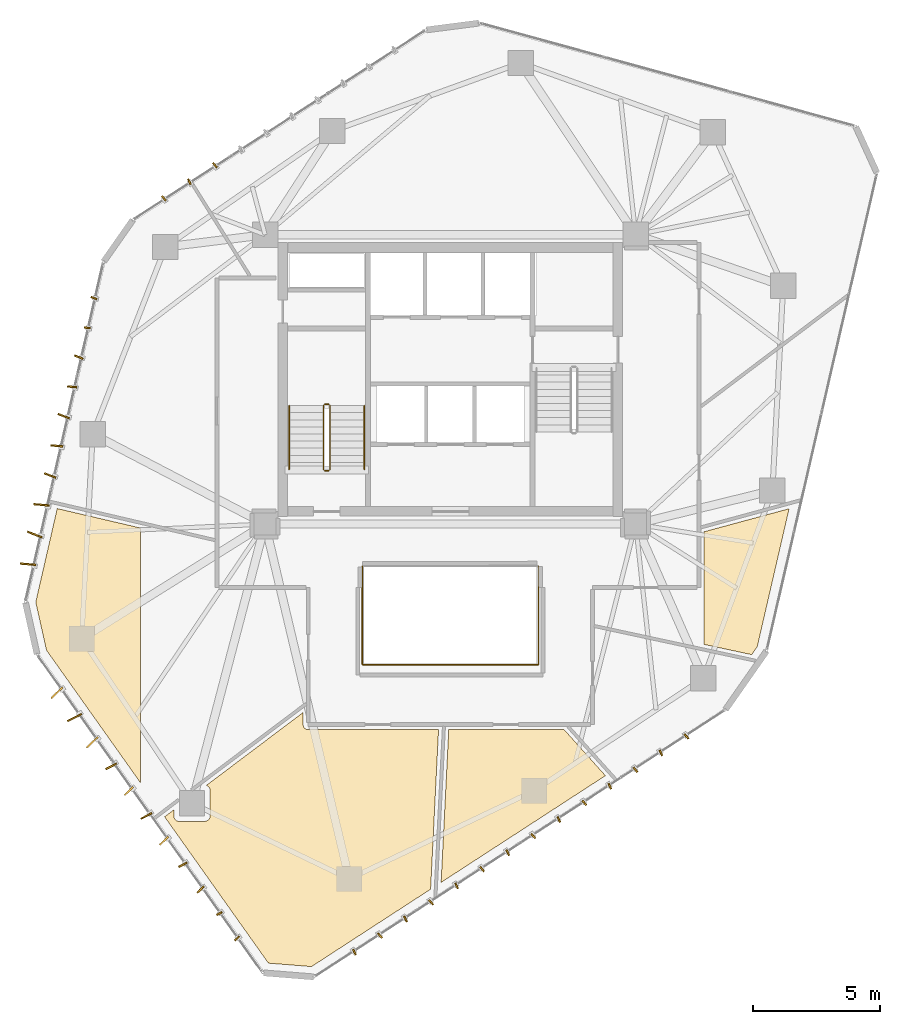
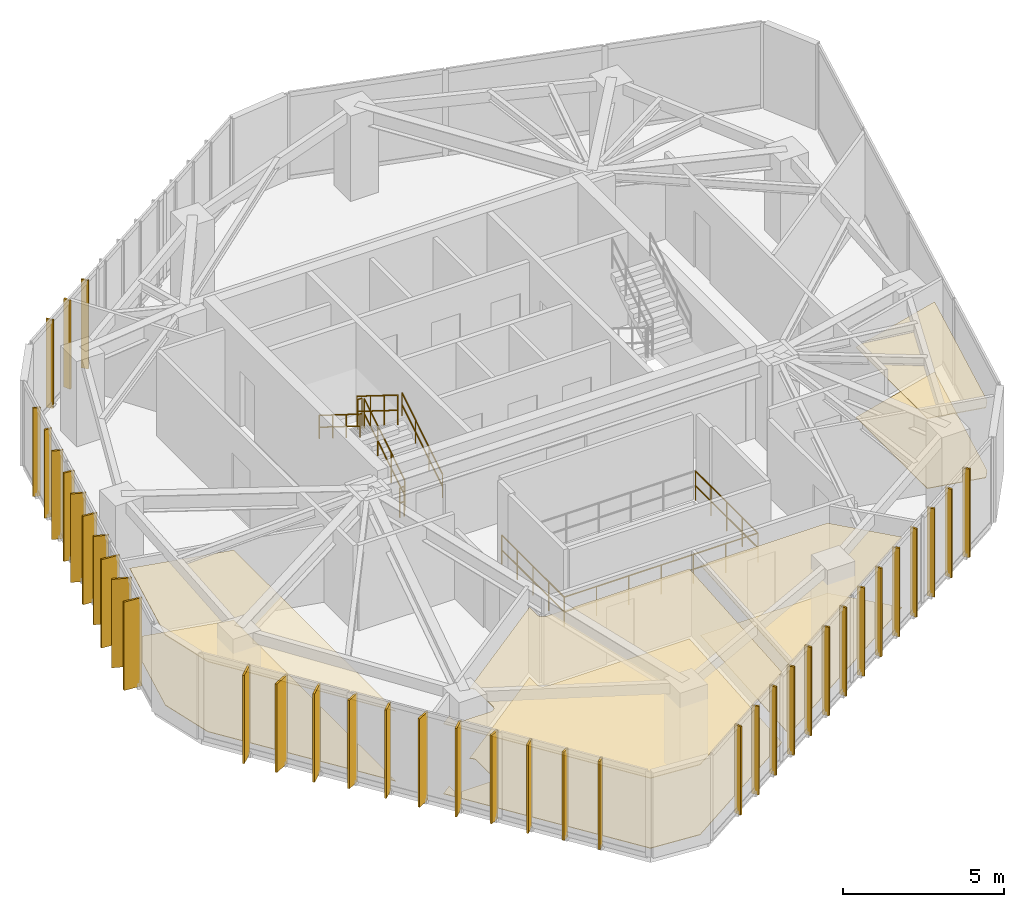
# One storey, part 17 of 18: 38 shading devices, 9 railings, 8 coverings.
"""IFC4 building model written with IfcOpenShell, lengths in metres."""

from ifc_helpers import new_model, si_unit, direction, frame, origin, origin_2d, place, context, subcontext, project, spatial, polyline, rectangle, circle, outline, extrude, source, transform, mapped, material, layer, layer_set, type_object, type_shapes, element, save


model = new_model("IFC4")

# Units and contexts
model_context = context("Model", 3, precision=1e-05, world=origin(), true_north=direction((0.0, 1.0)))
body_context = subcontext(model_context, "Body", "Model", "MODEL_VIEW")
ifc_project = project(units=[si_unit("LENGTHUNIT", "METRE"), si_unit("AREAUNIT", "SQUARE_METRE"), si_unit("VOLUMEUNIT", "CUBIC_METRE"), si_unit("PLANEANGLEUNIT", "RADIAN"), si_unit("MASSUNIT", "GRAM", prefix="KILO")], contexts=[model_context])

# Site, building, storey
site_placement = place(None, origin())
site = spatial("IfcSite", under=ifc_project, at=site_placement, CompositionType="ELEMENT")
building_placement = place(site_placement, origin())
building = spatial("IfcBuilding", under=site, at=building_placement, Name="Talar Marvaseh", CompositionType="ELEMENT")
storey_placement = place(building_placement, frame((0.0, 0.0, 188.0)))
storey = spatial("IfcBuildingStorey", under=building, at=storey_placement, Name="L49", CompositionType="ELEMENT", Elevation=188.0)

# Railings
ifc_material_1 = material(Name="Stainless Steel Grade 316", Category="steel")
railing_type_1 = type_object("IfcRailingType", Name="Brushed Stainless Wall Pitch Handrail 900", PredefinedType="HANDRAIL", material=ifc_material_1)
railing_1_placement = place(storey_placement, frame((22.610107421875, 27.64990234375, 0.175048828125)))
element("IfcRailing", 1, at=railing_1_placement, inside=storey, type_object=railing_type_1, Name="L49 ST-1 stair handrail 1", PredefinedType="HANDRAIL", context=body_context, shape_type="SweptSolid", body=[
    extrude(circle(Radius=0.02392578125, at=origin_2d()), frame((0.0, 0.0, 0.8759765625), z_axis=(0.0, 0.848007534815, 0.529984170421), x_axis=(-1.0, 0.0, 0.0)), (0.0, 0.0, 1.0), 2.9716796875),
    extrude(circle(Radius=0.02392578125, at=origin_2d()), frame((0.0, 0.0, 0.42578125), z_axis=(0.0, 0.848007534815, 0.529984170421), x_axis=(-1.0, 0.0, 0.0)), (0.0, 0.0, 1.0), 2.9716796875),
    extrude(circle(Radius=0.02099609375, at=origin_2d()), origin(), (0.0, 0.0, 1.0), 0.851806640625),
    extrude(circle(Radius=0.02099609375, at=origin_2d()), frame((0.0, 0.840087890625, 0.52490234375)), (0.0, 0.0, 1.0), 0.851806640625),
    extrude(circle(Radius=0.02099609375, at=origin_2d()), frame((0.0, 1.679931640625, 1.050048828125)), (0.0, 0.0, 1.0), 0.851806640625),
    extrude(circle(Radius=0.02099609375, at=origin_2d()), frame((0.0, 2.52001953125, 1.574951171875)), (0.0, 0.0, 1.0), 0.851806640625),
])
railing_2_placement = place(storey_placement, frame((19.64990234375, 30.169921875, 1.925048828125)))
element("IfcRailing", 2, at=railing_2_placement, inside=storey, type_object=railing_type_1, Name="L49 ST-1 stair handrail 2", PredefinedType="HANDRAIL", context=body_context, shape_type="SweptSolid", body=[
    extrude(circle(Radius=0.02392578125, at=origin_2d()), frame((0.0, 0.0, 0.8759765625), z_axis=(0.0, -0.848007534815, 0.529984170421), x_axis=(1.0, 0.0, 0.0)), (0.0, 0.0, 1.0), 2.9716796875),
    extrude(circle(Radius=0.02392578125, at=origin_2d()), frame((0.0, 0.0, 0.42578125), z_axis=(0.0, -0.848007534815, 0.529984170421), x_axis=(1.0, 0.0, 0.0)), (0.0, 0.0, 1.0), 2.9716796875),
    extrude(circle(Radius=0.02099609375, at=origin_2d()), origin(), (0.0, 0.0, 1.0), 0.851806640625),
    extrude(circle(Radius=0.02099609375, at=origin_2d()), frame((0.0, -0.840087890625, 0.52490234375)), (0.0, 0.0, 1.0), 0.851806640625),
    extrude(circle(Radius=0.02099609375, at=origin_2d()), frame((0.0, -1.679931640625, 1.050048828125)), (0.0, 0.0, 1.0), 0.851806640625),
    extrude(circle(Radius=0.02099609375, at=origin_2d()), frame((0.0, -2.52001953125, 1.574951171875)), (0.0, 0.0, 1.0), 0.851806640625),
])
ifc_material_2 = material(Name="Tempered Clear Glass", Category="glass")
railing_type_2 = type_object("IfcRailingType", Name="Interior Atrium Edge Balustrade 1120", PredefinedType="BALUSTRADE", material=ifc_material_2)
railing_3_placement = place(storey_placement, frame((22.5302734375, 19.9609375, 0.0)))
element("IfcRailing", 3, at=railing_3_placement, inside=storey, type_object=railing_type_2, Name="L49 Internal Daylight Atrium Balustrade 1", PredefinedType="BALUSTRADE", context=body_context, shape_type="SweptSolid", body=[
    extrude(circle(Radius=0.02392578125, at=origin_2d()), frame((0.0, 0.0, 1.09619140625), z_axis=(1.0, 0.0, 0.0), x_axis=(0.0, 1.0, 0.0)), (0.0, 0.0, 1.0), 6.939453125),
    extrude(circle(Radius=0.02392578125, at=origin_2d()), frame((0.0, 0.0, 0.5361328125), z_axis=(1.0, 0.0, 0.0), x_axis=(0.0, 1.0, 0.0)), (0.0, 0.0, 1.0), 6.939453125),
    extrude(circle(Radius=0.02099609375, at=origin_2d()), origin(), (0.0, 0.0, 1.0), 1.072021484375),
    extrude(circle(Radius=0.02099609375, at=origin_2d()), frame((1.156494140625, 0.0, 0.0)), (0.0, 0.0, 1.0), 1.072021484375),
    extrude(circle(Radius=0.02099609375, at=origin_2d()), frame((2.313232421875, 0.0, 0.0)), (0.0, 0.0, 1.0), 1.072021484375),
    extrude(circle(Radius=0.02099609375, at=origin_2d()), frame((3.4697265625, 0.0, 0.0)), (0.0, 0.0, 1.0), 1.072021484375),
    extrude(circle(Radius=0.02099609375, at=origin_2d()), frame((4.626220703125, 0.0, 0.0)), (0.0, 0.0, 1.0), 1.072021484375),
    extrude(circle(Radius=0.02099609375, at=origin_2d()), frame((5.782958984375, 0.0, 0.0)), (0.0, 0.0, 1.0), 1.072021484375),
    extrude(circle(Radius=0.02099609375, at=origin_2d()), frame((6.939453125, 0.0, 0.0)), (0.0, 0.0, 1.0), 1.072021484375),
])
railing_4_placement = place(storey_placement, frame((29.4697265625, 19.9609375, 0.0)))
element("IfcRailing", 4, at=railing_4_placement, inside=storey, type_object=railing_type_2, Name="L49 Internal Daylight Atrium Balustrade 2", PredefinedType="BALUSTRADE", context=body_context, shape_type="SweptSolid", body=[
    extrude(circle(Radius=0.02392578125, at=origin_2d()), frame((0.0, 0.0, 1.09619140625), z_axis=(0.0, 1.0, 0.0), x_axis=(-1.0, 0.0, 0.0)), (0.0, 0.0, 1.0), 3.878173828125),
    extrude(circle(Radius=0.02392578125, at=origin_2d()), frame((0.0, 0.0, 0.5361328125), z_axis=(0.0, 1.0, 0.0), x_axis=(-1.0, 0.0, 0.0)), (0.0, 0.0, 1.0), 3.878173828125),
    extrude(circle(Radius=0.02099609375, at=origin_2d()), origin(), (0.0, 0.0, 1.0), 1.072021484375),
    extrude(circle(Radius=0.02099609375, at=origin_2d()), frame((0.0, 0.969482421875, 0.0)), (0.0, 0.0, 1.0), 1.072021484375),
    extrude(circle(Radius=0.02099609375, at=origin_2d()), frame((0.0, 1.93896484375, 0.0)), (0.0, 0.0, 1.0), 1.072021484375),
    extrude(circle(Radius=0.02099609375, at=origin_2d()), frame((0.0, 2.90869140625, 0.0)), (0.0, 0.0, 1.0), 1.072021484375),
    extrude(circle(Radius=0.02099609375, at=origin_2d()), frame((0.0, 3.878173828125, 0.0)), (0.0, 0.0, 1.0), 1.072021484375),
])
railing_5_placement = place(storey_placement, frame((22.5302734375, 23.839111328125, 0.0)))
element("IfcRailing", 5, at=railing_5_placement, inside=storey, type_object=railing_type_2, Name="L49 Internal Daylight Atrium Balustrade 4", PredefinedType="BALUSTRADE", context=body_context, shape_type="SweptSolid", body=[
    extrude(circle(Radius=0.02392578125, at=origin_2d()), frame((0.0, 0.0, 1.09619140625), z_axis=(0.0, -1.0, 0.0), x_axis=(1.0, 0.0, 0.0)), (0.0, 0.0, 1.0), 3.878173828125),
    extrude(circle(Radius=0.02392578125, at=origin_2d()), frame((0.0, 0.0, 0.5361328125), z_axis=(0.0, -1.0, 0.0), x_axis=(1.0, 0.0, 0.0)), (0.0, 0.0, 1.0), 3.878173828125),
    extrude(circle(Radius=0.02099609375, at=origin_2d()), origin(), (0.0, 0.0, 1.0), 1.072021484375),
    extrude(circle(Radius=0.02099609375, at=origin_2d()), frame((0.0, -0.969482421875, 0.0)), (0.0, 0.0, 1.0), 1.072021484375),
    extrude(circle(Radius=0.02099609375, at=origin_2d()), frame((0.0, -1.93896484375, 0.0)), (0.0, 0.0, 1.0), 1.072021484375),
    extrude(circle(Radius=0.02099609375, at=origin_2d()), frame((0.0, -2.90869140625, 0.0)), (0.0, 0.0, 1.0), 1.072021484375),
    extrude(circle(Radius=0.02099609375, at=origin_2d()), frame((0.0, -3.878173828125, 0.0)), (0.0, 0.0, 1.0), 1.072021484375),
])
railing_type_3 = type_object("IfcRailingType", Name="Painted Steel Core Stair Well Guardrail 1150", PredefinedType="GUARDRAIL", material=ifc_material_1)
railing_6_placement = place(storey_placement, frame((21.260009765625, 27.64990234375, 0.175048828125)))
element("IfcRailing", 6, at=railing_6_placement, inside=storey, type_object=railing_type_3, Name="L49 ST-1 stair guard 1", PredefinedType="GUARDRAIL", context=body_context, shape_type="SweptSolid", body=[
    extrude(circle(Radius=0.02392578125, at=origin_2d()), frame((0.0, 0.0, 1.1259765625), z_axis=(0.0, 0.848007534815, 0.529984170421), x_axis=(-1.0, 0.0, 0.0)), (0.0, 0.0, 1.0), 2.9716796875),
    extrude(circle(Radius=0.02392578125, at=origin_2d()), frame((0.0, 0.0, 0.55078125), z_axis=(0.0, 0.848007534815, 0.529984170421), x_axis=(-1.0, 0.0, 0.0)), (0.0, 0.0, 1.0), 2.9716796875),
    extrude(circle(Radius=0.02099609375, at=origin_2d()), origin(), (0.0, 0.0, 1.0), 1.101806640625),
    extrude(circle(Radius=0.02099609375, at=origin_2d()), frame((0.0, 0.840087890625, 0.52490234375)), (0.0, 0.0, 1.0), 1.101806640625),
    extrude(circle(Radius=0.02099609375, at=origin_2d()), frame((0.0, 1.679931640625, 1.050048828125)), (0.0, 0.0, 1.0), 1.101806640625),
    extrude(circle(Radius=0.02099609375, at=origin_2d()), frame((0.0, 2.52001953125, 1.574951171875)), (0.0, 0.0, 1.0), 1.101806640625),
])
railing_7_placement = place(storey_placement, frame((21.2099609375, 30.219970703125, 1.75)))
element("IfcRailing", 7, at=railing_7_placement, inside=storey, type_object=railing_type_3, Name="L49 ST-1 stair guard 2", PredefinedType="GUARDRAIL", context=body_context, shape_type="SweptSolid", body=[
    extrude(circle(Radius=0.02392578125, at=origin_2d()), frame((0.0, 0.0, 1.1259765625), z_axis=(-1.0, 0.0, 0.0), x_axis=(0.0, -1.0, 0.0)), (0.0, 0.0, 1.0), 0.159912109375),
    extrude(circle(Radius=0.02392578125, at=origin_2d()), frame((0.0, 0.0, 0.55078125), z_axis=(-1.0, 0.0, 0.0), x_axis=(0.0, -1.0, 0.0)), (0.0, 0.0, 1.0), 0.159912109375),
    extrude(circle(Radius=0.02099609375, at=origin_2d()), origin(), (0.0, 0.0, 1.0), 1.101806640625),
    extrude(circle(Radius=0.02099609375, at=origin_2d()), frame((-0.159912109375, 0.0, 0.0)), (0.0, 0.0, 1.0), 1.101806640625),
])
railing_8_placement = place(storey_placement, frame((21.0, 30.169921875, 1.925048828125)))
element("IfcRailing", 8, at=railing_8_placement, inside=storey, type_object=railing_type_3, Name="L49 ST-1 stair guard 3", PredefinedType="GUARDRAIL", context=body_context, shape_type="SweptSolid", body=[
    extrude(circle(Radius=0.02392578125, at=origin_2d()), frame((0.0, 0.0, 1.1259765625), z_axis=(0.0, -0.848007534815, 0.529984170421), x_axis=(1.0, 0.0, 0.0)), (0.0, 0.0, 1.0), 2.9716796875),
    extrude(circle(Radius=0.02392578125, at=origin_2d()), frame((0.0, 0.0, 0.55078125), z_axis=(0.0, -0.848007534815, 0.529984170421), x_axis=(1.0, 0.0, 0.0)), (0.0, 0.0, 1.0), 2.9716796875),
    extrude(circle(Radius=0.02099609375, at=origin_2d()), origin(), (0.0, 0.0, 1.0), 1.101806640625),
    extrude(circle(Radius=0.02099609375, at=origin_2d()), frame((0.0, -0.840087890625, 0.52490234375)), (0.0, 0.0, 1.0), 1.101806640625),
    extrude(circle(Radius=0.02099609375, at=origin_2d()), frame((0.0, -1.679931640625, 1.050048828125)), (0.0, 0.0, 1.0), 1.101806640625),
    extrude(circle(Radius=0.02099609375, at=origin_2d()), frame((0.0, -2.52001953125, 1.574951171875)), (0.0, 0.0, 1.0), 1.101806640625),
])
railing_9_placement = place(storey_placement, frame((21.2099609375, 27.60009765625, 0.0)))
element("IfcRailing", 9, at=railing_9_placement, inside=storey, type_object=railing_type_3, Name="L49 ST-1 stair guard 4", PredefinedType="GUARDRAIL", context=body_context, shape_type="SweptSolid", body=[
    extrude(circle(Radius=0.02392578125, at=origin_2d()), frame((0.0, 0.0, 1.1259765625), z_axis=(-1.0, 0.0, 0.0), x_axis=(0.0, -1.0, 0.0)), (0.0, 0.0, 1.0), 0.159912109375),
    extrude(circle(Radius=0.02392578125, at=origin_2d()), frame((0.0, 0.0, 0.55078125), z_axis=(-1.0, 0.0, 0.0), x_axis=(0.0, -1.0, 0.0)), (0.0, 0.0, 1.0), 0.159912109375),
    extrude(circle(Radius=0.02099609375, at=origin_2d()), origin(), (0.0, 0.0, 1.0), 1.101806640625),
    extrude(circle(Radius=0.02099609375, at=origin_2d()), frame((-0.159912109375, 0.0, 0.0)), (0.0, 0.0, 1.0), 1.101806640625),
])

# Coverings
ifc_material_3 = material(Name="Mineral Fibre Acoustic Ceiling")
ifc_layer_1 = layer(ifc_material_3, 0.02490234375)
ifc_layer_set_1 = layer_set([ifc_layer_1], Name="Mineral Fibre Acoustic Ceiling")
covering_type_1 = type_object("IfcCoveringType", Name="Perforated Mineral Fibre Acoustic Suspended Ceiling", PredefinedType="CEILING", material=ifc_layer_set_1)
covering_1_placement = place(storey_placement, frame((0.0, 0.0, 2.64990234375)))
element("IfcCovering", 10, at=covering_1_placement, inside=storey, type_object=covering_type_1, Name="L49 Seminar Room Acoustic Ceiling", PredefinedType="CEILING", context=body_context, shape_type="SweptSolid", body=[
    extrude(outline(polyline([(13.800048828125, 25.34375), (13.800048828125, 15.295166015625), (10.089111328125, 20.527587890625), (9.664306640625, 22.423828125), (10.510986328125, 26.11181640625), (13.800048828125, 25.34375)])), origin(), (0.0, 0.0, 1.0), 0.025146484375),
])
covering_2_placement = place(storey_placement, frame((0.0, 0.0, 2.64990234375)))
element("IfcCovering", 11, at=covering_2_placement, inside=storey, type_object=covering_type_1, Name="L49 Curatorial Staff Control Room Acoustic Ceiling", PredefinedType="CEILING", context=body_context, shape_type="SweptSolid", body=[
    extrude(outline(polyline([(20.199951171875, 17.60009765625), (20.200927734375, 17.580322265625), (20.203857421875, 17.56103515625), (20.20849609375, 17.5419921875), (20.215087890625, 17.5234375), (20.2236328125, 17.505615234375), (20.233642578125, 17.489013671875), (20.245361328125, 17.47314453125), (20.258544921875, 17.45849609375), (20.273193359375, 17.4453125), (20.288818359375, 17.43359375), (20.3056640625, 17.423583984375), (20.323486328125, 17.415283203125), (20.341796875, 17.40869140625), (20.361083984375, 17.40380859375), (20.38037109375, 17.40087890625), (20.39990234375, 17.39990234375), (25.535400390625, 17.39990234375), (25.2216796875, 11.114013671875), (20.529296875, 8.0654296875), (18.831298828125, 8.201171875), (14.742431640625, 13.96630859375), (15.10400390625, 14.239013671875), (15.10400390625, 14.0009765625), (15.10498046875, 13.9814453125), (15.10791015625, 13.9619140625), (15.11279296875, 13.94287109375), (15.119384765625, 13.92431640625), (15.127685546875, 13.906494140625), (15.134521484375, 13.89404296875), (15.14453125, 13.877197265625), (15.15625, 13.861572265625), (15.16943359375, 13.846923828125), (15.18408203125, 13.833740234375), (15.19970703125, 13.822021484375), (15.216552734375, 13.81201171875), (15.234375, 13.8037109375), (15.252685546875, 13.797119140625), (15.27197265625, 13.792236328125), (15.291259765625, 13.789306640625), (15.310791015625, 13.78857421875), (16.32861328125, 13.789306640625), (16.34912109375, 13.79052734375), (16.369384765625, 13.793701171875), (16.38916015625, 13.798828125), (16.408447265625, 13.805908203125), (16.4267578125, 13.815185546875), (16.444091796875, 13.826171875), (16.460205078125, 13.8388671875), (16.474853515625, 13.85302734375), (16.488037109375, 13.86865234375), (16.49951171875, 13.8857421875), (16.50927734375, 13.90380859375), (16.5146484375, 13.915283203125), (16.521484375, 13.931640625), (16.527099609375, 13.948486328125), (16.531005859375, 13.966064453125), (16.533203125, 13.983642578125), (16.533935546875, 14.00146484375), (16.5322265625, 15.008544921875), (16.531005859375, 15.029052734375), (16.52783203125, 15.04931640625), (16.522705078125, 15.069091796875), (16.515380859375, 15.08837890625), (16.506103515625, 15.10693359375), (16.4951171875, 15.124267578125), (16.482177734375, 15.140380859375), (16.4677734375, 15.155029296875), (16.451904296875, 15.168212890625), (16.434814453125, 15.1796875), (16.421630859375, 15.1875), (16.402587890625, 15.19775390625), (16.385498046875, 15.20458984375), (20.199951171875, 18.0791015625), (20.199951171875, 17.60009765625)])), origin(), (0.0, 0.0, 1.0), 0.025146484375),
])
covering_3_placement = place(storey_placement, frame((0.0, 0.0, 2.64990234375)))
element("IfcCovering", 12, at=covering_3_placement, inside=storey, type_object=covering_type_1, Name="L49 Colloquium Boardroom Acoustic Ceiling", PredefinedType="CEILING", context=body_context, shape_type="SweptSolid", body=[
    extrude(outline(polyline([(32.109375, 15.588134765625), (25.6357421875, 11.3828125), (25.935791015625, 17.39990234375), (30.484619140625, 17.39990234375), (32.109375, 15.588134765625)])), origin(), (0.0, 0.0, 1.0), 0.025146484375),
])
covering_4_placement = place(storey_placement, frame((0.0, 0.0, 2.64990234375)))
element("IfcCovering", 13, at=covering_4_placement, inside=storey, type_object=covering_type_1, Name="L49 Accessible WC Acoustic Ceiling", PredefinedType="CEILING", context=body_context, shape_type="SweptSolid", body=[
    extrude(outline(polyline([(36.0, 23.0), (36.0, 25.19921875), (39.345703125, 26.10498046875), (38.090576171875, 20.671875), (37.8701171875, 20.35693359375), (36.0, 20.75830078125), (36.0, 23.0)])), origin(), (0.0, 0.0, 1.0), 0.025146484375),
])
ifc_material_4 = material(Name="Porcelain Stoneware Tile", Category="masonry")
ifc_layer_2 = layer(ifc_material_4, 0.02001953125)
ifc_layer_set_2 = layer_set([ifc_layer_2], Name="Porcelain Stoneware Tile")
covering_type_2 = type_object("IfcCoveringType", Name="Polished Porcelain Stoneware Gallery Flooring", PredefinedType="FLOORING", material=ifc_layer_set_2)
covering_5_placement = place(storey_placement, origin())
element("IfcCovering", 14, at=covering_5_placement, inside=storey, type_object=covering_type_2, Name="L49 Seminar Room Flooring", PredefinedType="FLOORING", context=body_context, shape_type="SweptSolid", body=[
    extrude(outline(polyline([(13.800048828125, 25.34375), (13.800048828125, 15.295166015625), (10.089111328125, 20.527587890625), (9.664306640625, 22.423828125), (10.510986328125, 26.11181640625), (13.800048828125, 25.34375)])), origin(), (0.0, 0.0, 1.0), 0.02001953125),
])
covering_6_placement = place(storey_placement, origin())
element("IfcCovering", 15, at=covering_6_placement, inside=storey, type_object=covering_type_2, Name="L49 Curatorial Staff Control Room Flooring", PredefinedType="FLOORING", context=body_context, shape_type="SweptSolid", body=[
    extrude(outline(polyline([(20.199951171875, 17.60009765625), (20.200927734375, 17.580322265625), (20.203857421875, 17.56103515625), (20.20849609375, 17.5419921875), (20.215087890625, 17.5234375), (20.2236328125, 17.505615234375), (20.233642578125, 17.489013671875), (20.245361328125, 17.47314453125), (20.258544921875, 17.45849609375), (20.273193359375, 17.4453125), (20.288818359375, 17.43359375), (20.3056640625, 17.423583984375), (20.323486328125, 17.415283203125), (20.341796875, 17.40869140625), (20.361083984375, 17.40380859375), (20.38037109375, 17.40087890625), (20.39990234375, 17.39990234375), (25.535400390625, 17.39990234375), (25.2216796875, 11.114013671875), (20.529296875, 8.0654296875), (18.831298828125, 8.201171875), (14.742431640625, 13.96630859375), (15.10400390625, 14.239013671875), (15.10400390625, 14.0009765625), (15.10498046875, 13.9814453125), (15.10791015625, 13.9619140625), (15.11279296875, 13.94287109375), (15.119384765625, 13.92431640625), (15.127685546875, 13.906494140625), (15.134521484375, 13.89404296875), (15.14453125, 13.877197265625), (15.15625, 13.861572265625), (15.16943359375, 13.846923828125), (15.18408203125, 13.833740234375), (15.19970703125, 13.822021484375), (15.216552734375, 13.81201171875), (15.234375, 13.8037109375), (15.252685546875, 13.797119140625), (15.27197265625, 13.792236328125), (15.291259765625, 13.789306640625), (15.310791015625, 13.78857421875), (16.32861328125, 13.789306640625), (16.34912109375, 13.79052734375), (16.369384765625, 13.793701171875), (16.38916015625, 13.798828125), (16.408447265625, 13.805908203125), (16.4267578125, 13.815185546875), (16.444091796875, 13.826171875), (16.460205078125, 13.8388671875), (16.474853515625, 13.85302734375), (16.488037109375, 13.86865234375), (16.49951171875, 13.8857421875), (16.50927734375, 13.90380859375), (16.5146484375, 13.915283203125), (16.521484375, 13.931640625), (16.527099609375, 13.948486328125), (16.531005859375, 13.966064453125), (16.533203125, 13.983642578125), (16.533935546875, 14.00146484375), (16.5322265625, 15.008544921875), (16.531005859375, 15.029052734375), (16.52783203125, 15.04931640625), (16.522705078125, 15.069091796875), (16.515380859375, 15.08837890625), (16.506103515625, 15.10693359375), (16.4951171875, 15.124267578125), (16.482177734375, 15.140380859375), (16.4677734375, 15.155029296875), (16.451904296875, 15.168212890625), (16.434814453125, 15.1796875), (16.421630859375, 15.1875), (16.402587890625, 15.19775390625), (16.385498046875, 15.20458984375), (20.199951171875, 18.0791015625), (20.199951171875, 17.60009765625)])), origin(), (0.0, 0.0, 1.0), 0.02001953125),
])
covering_7_placement = place(storey_placement, origin())
element("IfcCovering", 16, at=covering_7_placement, inside=storey, type_object=covering_type_2, Name="L49 Colloquium Boardroom Flooring", PredefinedType="FLOORING", context=body_context, shape_type="SweptSolid", body=[
    extrude(outline(polyline([(32.109375, 15.588134765625), (25.6357421875, 11.3828125), (25.935791015625, 17.39990234375), (30.484619140625, 17.39990234375), (32.109375, 15.588134765625)])), origin(), (0.0, 0.0, 1.0), 0.02001953125),
])
covering_8_placement = place(storey_placement, origin())
element("IfcCovering", 17, at=covering_8_placement, inside=storey, type_object=covering_type_2, Name="L49 Accessible WC Flooring", PredefinedType="FLOORING", context=body_context, shape_type="SweptSolid", body=[
    extrude(outline(polyline([(36.0, 23.0), (36.0, 25.19921875), (39.345703125, 26.10498046875), (38.090576171875, 20.671875), (37.8701171875, 20.35693359375), (36.0, 20.75830078125), (36.0, 23.0)])), origin(), (0.0, 0.0, 1.0), 0.02001953125),
])

# Shading devices
ifc_material_5 = material(Name="Anodised Champagne Bronze Aluminium", Category="aluminium")
ifc_layer_3 = layer(ifc_material_5, 0.06494140625)
ifc_layer_set_3 = layer_set([ifc_layer_3], Name="Anodised Champagne Bronze Aluminium")
shading_device_type_1 = type_object("IfcShadingDeviceType", Name="Sawtooth Champagne Bronze Vertical Fin 240", PredefinedType="USERDEFINED", material=ifc_layer_set_3)
shared_shape_1 = source(origin(), body_context, "Body", "SweptSolid", [
    extrude(rectangle(XDim=0.239990234375, YDim=0.06494140625, at=origin_2d()), origin(), (0.0, 0.0, 1.0), 3.35009765625),
])
type_shapes(shading_device_type_1, [shared_shape_1])
for number, where, z_axis, x_axis, name in (
    (18, (17.594482421875, 9.176025390625, -0.1201171875), (0.0, 0.0, 1.0), (-0.727173991201, -0.686453193248, 0.0), "L49 Sawtooth Vertical Solar Fin"),
    (19, (16.900146484375, 10.15478515625, -0.1201171875), (0.0, 0.0, 1.0), (-0.888216647103, -0.45942484457, 0.0), "L49 Sawtooth Vertical Solar Fin"),
    (20, (11.689697265625, 33.2333984375, -0.1201171875), (0.0, 0.0, 1.0), (-0.99630043542, 0.085938596582, 0.0), "L49 Sawtooth Vertical Solar Fin"),
    (21, (11.958251953125, 34.40283203125, -0.1201171875), (0.0, 0.0, 1.0), (-0.934017558691, 0.357227098715, 0.0), "L49 Sawtooth Vertical Solar Fin"),
    (22, (14.710693359375, 38.333984375, -0.1201171875), (0.0, 0.0, 1.0), (-0.6551364879, 0.755510544084, 0.0), "L49 Sawtooth Vertical Solar Fin"),
    (23, (15.718017578125, 38.986328125, -0.1201171875), (0.0, 0.0, 1.0), (-0.421510682766, 0.90682343613, 0.0), "L49 Sawtooth Vertical Solar Fin"),
    (24, (16.72509765625, 39.638916015625, -0.1201171875), (0.0, 0.0, 1.0), (-0.6551364879, 0.755510544084, 0.0), "L49 Sawtooth Vertical Solar Fin"),
    (25, (35.302978515625, 17.13232421875, -0.1201171875), (0.0, 0.0, 1.0), (0.656190740668, -0.754595064827, 0.0), "L49 Sawtooth Vertical Solar Fin"),
    (26, (34.296630859375, 16.478515625, -0.1201171875), (0.0, 0.0, 1.0), (0.422776435852, -0.906234012432, 0.0), "L49 Sawtooth Vertical Solar Fin"),
    (27, (33.290283203125, 15.82470703125, -0.1201171875), (0.0, 0.0, 1.0), (0.656190740668, -0.754595064827, 0.0), "L49 Sawtooth Vertical Solar Fin"),
    (28, (32.283935546875, 15.171142578125, -0.1201171875), (0.0, 0.0, 1.0), (0.422776435852, -0.906234012432, 0.0), "L49 Sawtooth Vertical Solar Fin"),
    (29, (31.277587890625, 14.517333984375, -0.1201171875), (0.0, 0.0, 1.0), (0.656190740668, -0.754595064827, 0.0), "L49 Sawtooth Vertical Solar Fin"),
    (30, (30.271484375, 13.863525390625, -0.1201171875), (0.0, 0.0, 1.0), (0.422776435852, -0.906234012432, 0.0), "L49 Sawtooth Vertical Solar Fin"),
    (31, (29.26513671875, 13.2099609375, -0.1201171875), (0.0, 0.0, 1.0), (0.656190740668, -0.754595064827, 0.0), "L49 Sawtooth Vertical Solar Fin"),
    (32, (28.2587890625, 12.55615234375, -0.1201171875), (0.0, 0.0, 1.0), (0.422776435852, -0.906234012432, 0.0), "L49 Sawtooth Vertical Solar Fin"),
    (33, (27.25244140625, 11.902587890625, -0.1201171875), (0.0, 0.0, 1.0), (0.656190740668, -0.754595064827, 0.0), "L49 Sawtooth Vertical Solar Fin"),
    (34, (26.24609375, 11.248779296875, -0.1201171875), (0.0, 0.0, 1.0), (0.422776435852, -0.906234012432, 0.0), "L49 Sawtooth Vertical Solar Fin"),
    (35, (25.239990234375, 10.594970703125, -0.1201171875), (0.0, 0.0, 1.0), (0.656190740668, -0.754595064827, 0.0), "L49 Sawtooth Vertical Solar Fin"),
    (36, (24.233642578125, 9.94140625, -0.1201171875), (0.0, 0.0, 1.0), (0.422776435852, -0.906234012432, 0.0), "L49 Sawtooth Vertical Solar Fin"),
    (37, (23.227294921875, 9.28759765625, -0.1201171875), (0.0, 0.0, 1.0), (0.656190740668, -0.754595064827, 0.0), "L49 Sawtooth Vertical Solar Fin"),
    (38, (22.220947265625, 8.6337890625, -0.1201171875), (0.0, 0.0, 1.0), (0.422776435852, -0.906234012432, 0.0), "L49 Sawtooth Vertical Solar Fin"),
):
    element("IfcShadingDevice", number, at=place(storey_placement, frame(where, z_axis=z_axis, x_axis=x_axis)), inside=storey, type_object=shading_device_type_1, Name=name, ObjectType="FIN", PredefinedType="USERDEFINED", context=body_context, shape_type="MappedRepresentation", body=[
        mapped(shared_shape_1, transform((0.0, 0.0, 0.0), x_axis=(1.0, 0.0, 0.0), y_axis=(0.0, 1.0, 0.0), z_axis=(0.0, 0.0, 1.0), scale=1.0)),
    ])
ifc_layer_4 = layer(ifc_material_5, 0.06494140625)
ifc_layer_set_4 = layer_set([ifc_layer_4], Name="Anodised Champagne Bronze Aluminium")
shading_device_type_2 = type_object("IfcShadingDeviceType", Name="Sawtooth Champagne Bronze Vertical Fin 360", PredefinedType="USERDEFINED", material=ifc_layer_set_4)
shared_shape_2 = source(origin(), body_context, "Body", "SweptSolid", [
    extrude(rectangle(XDim=0.360107421875, YDim=0.06494140625, at=origin_2d()), origin(), (0.0, 0.0, 1.0), 3.35009765625),
])
type_shapes(shading_device_type_2, [shared_shape_2])
for number, where, z_axis, x_axis, name in (
    (39, (16.156982421875, 11.098876953125, -0.1201171875), (0.0, 0.0, 1.0), (-0.727173991201, -0.686453193248, 0.0), "L49 Sawtooth Vertical Solar Fin"),
    (40, (15.462890625, 12.07763671875, -0.1201171875), (0.0, 0.0, 1.0), (-0.888216647103, -0.45942484457, 0.0), "L49 Sawtooth Vertical Solar Fin"),
    (41, (11.093994140625, 30.90771484375, -0.1201171875), (0.0, 0.0, 1.0), (-0.99630043542, 0.085938596582, 0.0), "L49 Sawtooth Vertical Solar Fin"),
    (42, (11.362548828125, 32.0771484375, -0.1201171875), (0.0, 0.0, 1.0), (-0.934017558691, 0.357227098715, 0.0), "L49 Sawtooth Vertical Solar Fin"),
):
    element("IfcShadingDevice", number, at=place(storey_placement, frame(where, z_axis=z_axis, x_axis=x_axis)), inside=storey, type_object=shading_device_type_2, Name=name, ObjectType="FIN", PredefinedType="USERDEFINED", context=body_context, shape_type="MappedRepresentation", body=[
        mapped(shared_shape_2, transform((0.0, 0.0, 0.0), x_axis=(1.0, 0.0, 0.0), y_axis=(0.0, 1.0, 0.0), z_axis=(0.0, 0.0, 1.0), scale=1.0)),
    ])
ifc_layer_5 = layer(ifc_material_5, 0.06494140625)
ifc_layer_set_5 = layer_set([ifc_layer_5], Name="Anodised Champagne Bronze Aluminium")
shading_device_type_3 = type_object("IfcShadingDeviceType", Name="Sawtooth Champagne Bronze Vertical Fin 480", PredefinedType="USERDEFINED", material=ifc_layer_set_5)
shared_shape_3 = source(origin(), body_context, "Body", "SweptSolid", [
    extrude(rectangle(XDim=0.47998046875, YDim=0.06494140625, at=origin_2d()), origin(), (0.0, 0.0, 1.0), 3.35009765625),
])
type_shapes(shading_device_type_3, [shared_shape_3])
for number, where, z_axis, x_axis, name in (
    (43, (14.7197265625, 13.021728515625, -0.1201171875), (0.0, 0.0, 1.0), (-0.727173991201, -0.686453193248, 0.0), "L49 Sawtooth Vertical Solar Fin"),
    (44, (14.025390625, 14.00048828125, -0.1201171875), (0.0, 0.0, 1.0), (-0.888216647103, -0.45942484457, 0.0), "L49 Sawtooth Vertical Solar Fin"),
    (45, (13.331298828125, 14.9794921875, -0.1201171875), (0.0, 0.0, 1.0), (-0.727173991201, -0.686453193248, 0.0), "L49 Sawtooth Vertical Solar Fin"),
    (46, (12.636962890625, 15.958251953125, -0.1201171875), (0.0, 0.0, 1.0), (-0.888216647103, -0.45942484457, 0.0), "L49 Sawtooth Vertical Solar Fin"),
    (47, (10.22998046875, 27.412353515625, -0.1201171875), (0.0, 0.0, 1.0), (-0.934017558691, 0.357227098715, 0.0), "L49 Sawtooth Vertical Solar Fin"),
    (48, (10.49853515625, 28.58203125, -0.1201171875), (0.0, 0.0, 1.0), (-0.99630043542, 0.085938596582, 0.0), "L49 Sawtooth Vertical Solar Fin"),
    (49, (10.76708984375, 29.75146484375, -0.1201171875), (0.0, 0.0, 1.0), (-0.934017558691, 0.357227098715, 0.0), "L49 Sawtooth Vertical Solar Fin"),
):
    element("IfcShadingDevice", number, at=place(storey_placement, frame(where, z_axis=z_axis, x_axis=x_axis)), inside=storey, type_object=shading_device_type_3, Name=name, ObjectType="FIN", PredefinedType="USERDEFINED", context=body_context, shape_type="MappedRepresentation", body=[
        mapped(shared_shape_3, transform((0.0, 0.0, 0.0), x_axis=(1.0, 0.0, 0.0), y_axis=(0.0, 1.0, 0.0), z_axis=(0.0, 0.0, 1.0), scale=1.0)),
    ])
ifc_layer_6 = layer(ifc_material_5, 0.06494140625)
ifc_layer_set_6 = layer_set([ifc_layer_6], Name="Anodised Champagne Bronze Aluminium")
shading_device_type_4 = type_object("IfcShadingDeviceType", Name="Sawtooth Champagne Bronze Vertical Fin 620", PredefinedType="USERDEFINED", material=ifc_layer_set_6)
shared_shape_4 = source(origin(), body_context, "Body", "SweptSolid", [
    extrude(rectangle(XDim=0.6201171875, YDim=0.06494140625, at=origin_2d()), origin(), (0.0, 0.0, 1.0), 3.35009765625),
])
type_shapes(shading_device_type_4, [shared_shape_4])
for number, where, z_axis, x_axis, name in (
    (50, (11.8857421875, 16.896484375, -0.1201171875), (0.0, 0.0, 1.0), (-0.727173991201, -0.686453193248, 0.0), "L49 Sawtooth Vertical Solar Fin"),
    (51, (11.19140625, 17.87548828125, -0.1201171875), (0.0, 0.0, 1.0), (-0.888216647103, -0.45942484457, 0.0), "L49 Sawtooth Vertical Solar Fin"),
    (52, (10.497314453125, 18.854248046875, -0.1201171875), (0.0, 0.0, 1.0), (-0.727173991201, -0.686453193248, 0.0), "L49 Sawtooth Vertical Solar Fin"),
    (53, (9.35595703125, 23.91943359375, -0.1201171875), (0.0, 0.0, 1.0), (-0.99630043542, 0.085938596582, 0.0), "L49 Sawtooth Vertical Solar Fin"),
    (54, (9.62451171875, 25.0888671875, -0.1201171875), (0.0, 0.0, 1.0), (-0.934017558691, 0.357227098715, 0.0), "L49 Sawtooth Vertical Solar Fin"),
    (55, (9.89306640625, 26.258544921875, -0.1201171875), (0.0, 0.0, 1.0), (-0.99630043542, 0.085938596582, 0.0), "L49 Sawtooth Vertical Solar Fin"),
):
    element("IfcShadingDevice", number, at=place(storey_placement, frame(where, z_axis=z_axis, x_axis=x_axis)), inside=storey, type_object=shading_device_type_4, Name=name, ObjectType="FIN", PredefinedType="USERDEFINED", context=body_context, shape_type="MappedRepresentation", body=[
        mapped(shared_shape_4, transform((0.0, 0.0, 0.0), x_axis=(1.0, 0.0, 0.0), y_axis=(0.0, 1.0, 0.0), z_axis=(0.0, 0.0, 1.0), scale=1.0)),
    ])

save(model, "model.ifc")
